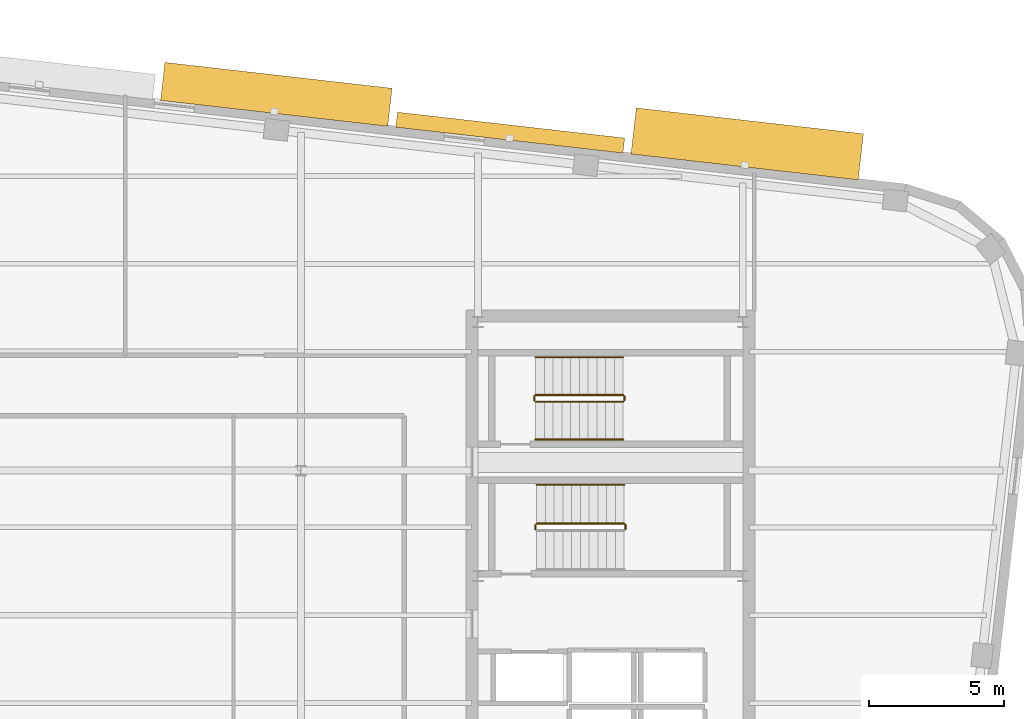
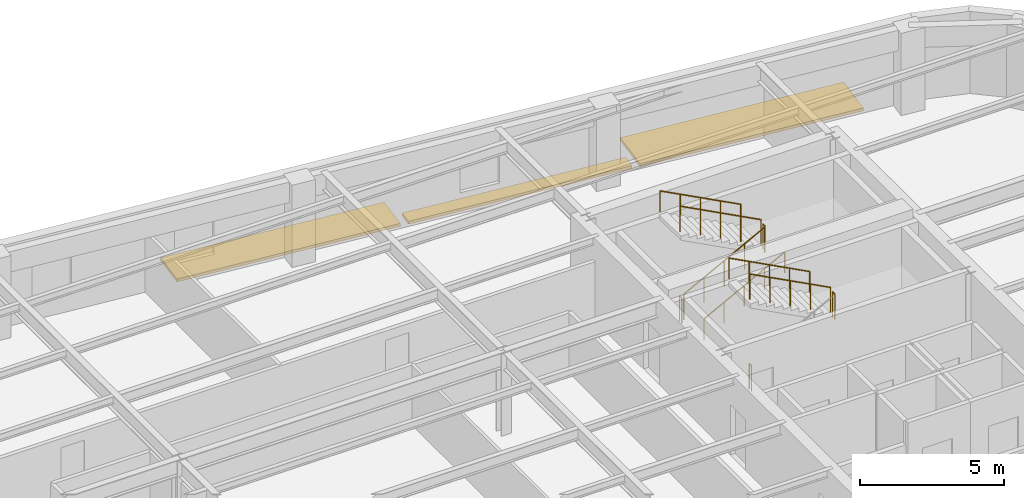
# One storey, part 12 of 12: 10 railings, 3 shading devices.
"""IFC4 building model written with IfcOpenShell, lengths in metres."""

from ifc_helpers import new_model, si_unit, direction, frame, origin, origin_2d, place, context, subcontext, project, spatial, rectangle, circle, extrude, material, type_object, element, save


model = new_model("IFC4")

# Units and contexts
model_context = context("Model", 3, precision=1e-05, world=origin(), true_north=direction((0.0, 1.0)))
body_context = subcontext(model_context, "Body", "Model", "MODEL_VIEW")
ifc_project = project(units=[si_unit("LENGTHUNIT", "METRE"), si_unit("AREAUNIT", "SQUARE_METRE"), si_unit("VOLUMEUNIT", "CUBIC_METRE"), si_unit("PLANEANGLEUNIT", "RADIAN"), si_unit("MASSUNIT", "GRAM", prefix="KILO")], contexts=[model_context])

# Site, building, storey
site_placement = place(None, origin())
site = spatial("IfcSite", under=ifc_project, at=site_placement, CompositionType="ELEMENT")
building_placement = place(site_placement, origin())
building = spatial("IfcBuilding", under=site, at=building_placement, Name="Kolvaren Arena Tower", CompositionType="ELEMENT")
storey_placement = place(building_placement, frame((0.0, 0.0, 220.949951171875)))
storey = spatial("IfcBuildingStorey", under=building, at=storey_placement, Name="L53", CompositionType="ELEMENT", Elevation=220.949951171875)

# Railings
ifc_material_1 = material(Name="Painted galvanized steel", Category="steel")
railing_type_1 = type_object("IfcRailingType", Name="GUARD-ST-110", PredefinedType="GUARDRAIL", material=ifc_material_1)
railing_1_placement = place(storey_placement, frame((56.010009765625, 31.68994140625, 1.875)))
element("IfcRailing", 1, at=railing_1_placement, inside=storey, type_object=railing_type_1, Name="L53 ST-E1 stair guard 2", PredefinedType="GUARDRAIL", context=body_context, shape_type="SweptSolid", body=[
    extrude(circle(Radius=0.02392578125, at=origin_2d()), frame((0.0, 0.0, 1.076171875), z_axis=(0.0, 1.0, 0.0), x_axis=(-1.0, 0.0, 0.0)), (0.0, 0.0, 1.0), 0.150146484375),
    extrude(circle(Radius=0.02099609375, at=origin_2d()), origin(), (0.0, 0.0, 1.0), 1.052001953125),
    extrude(circle(Radius=0.02099609375, at=origin_2d()), frame((0.0, 0.150146484375, 0.0)), (0.0, 0.0, 1.0), 1.052001953125),
])
railing_2_placement = place(storey_placement, frame((55.9599609375, 31.889892578125, 2.04541015625)))
element("IfcRailing", 2, at=railing_2_placement, inside=storey, type_object=railing_type_1, Name="L53 ST-E1 stair guard 3", PredefinedType="GUARDRAIL", context=body_context, shape_type="SweptSolid", body=[
    extrude(circle(Radius=0.02392578125, at=origin_2d()), frame((0.0, 0.0, 1.076171875), z_axis=(-0.884993431791, 0.0, 0.465603506952), x_axis=(0.0, -1.0, 0.0)), (0.0, 0.0, 1.0), 3.6611328125),
    extrude(circle(Radius=0.02099609375, at=origin_2d()), origin(), (0.0, 0.0, 1.0), 1.052001953125),
    extrude(circle(Radius=0.02099609375, at=origin_2d()), frame((-0.81005859375, 0.0, 0.42626953125)), (0.0, 0.0, 1.0), 1.052001953125),
    extrude(circle(Radius=0.02099609375, at=origin_2d()), frame((-1.6201171875, 0.0, 0.852294921875)), (0.0, 0.0, 1.0), 1.052001953125),
    extrude(circle(Radius=0.02099609375, at=origin_2d()), frame((-2.429931640625, 0.0, 1.2783203125)), (0.0, 0.0, 1.0), 1.052001953125),
    extrude(circle(Radius=0.02099609375, at=origin_2d()), frame((-3.239990234375, 0.0, 1.70458984375)), (0.0, 0.0, 1.0), 1.052001953125),
])
railing_3_placement = place(storey_placement, frame((52.669921875, 31.68994140625, 0.0)))
element("IfcRailing", 3, at=railing_3_placement, inside=storey, type_object=railing_type_1, Name="L53 ST-E1 stair guard 4", PredefinedType="GUARDRAIL", context=body_context, shape_type="SweptSolid", body=[
    extrude(circle(Radius=0.02392578125, at=origin_2d()), frame((0.0, 0.0, 1.076171875), z_axis=(0.0, 1.0, 0.0), x_axis=(-1.0, 0.0, 0.0)), (0.0, 0.0, 1.0), 0.150146484375),
    extrude(circle(Radius=0.02099609375, at=origin_2d()), origin(), (0.0, 0.0, 1.0), 1.052001953125),
    extrude(circle(Radius=0.02099609375, at=origin_2d()), frame((0.0, 0.150146484375, 0.0)), (0.0, 0.0, 1.0), 1.052001953125),
])
railing_4_placement = place(storey_placement, frame((52.679931640625, 36.39990234375, 0.17041015625)))
element("IfcRailing", 4, at=railing_4_placement, inside=storey, type_object=railing_type_1, Name="L53 ST-E2 stair guard 1", PredefinedType="GUARDRAIL", context=body_context, shape_type="SweptSolid", body=[
    extrude(circle(Radius=0.02392578125, at=origin_2d()), frame((0.0, 0.0, 1.076171875), z_axis=(0.884993431791, 0.0, 0.465603506952), x_axis=(0.0, 1.0, 0.0)), (0.0, 0.0, 1.0), 3.6611328125),
    extrude(circle(Radius=0.02099609375, at=origin_2d()), origin(), (0.0, 0.0, 1.0), 1.052001953125),
    extrude(circle(Radius=0.02099609375, at=origin_2d()), frame((0.81005859375, 0.0, 0.42626953125)), (0.0, 0.0, 1.0), 1.052001953125),
    extrude(circle(Radius=0.02099609375, at=origin_2d()), frame((1.6201171875, 0.0, 0.852294921875)), (0.0, 0.0, 1.0), 1.052001953125),
    extrude(circle(Radius=0.02099609375, at=origin_2d()), frame((2.429931640625, 0.0, 1.2783203125)), (0.0, 0.0, 1.0), 1.052001953125),
    extrude(circle(Radius=0.02099609375, at=origin_2d()), frame((3.239990234375, 0.0, 1.70458984375)), (0.0, 0.0, 1.0), 1.052001953125),
])
railing_5_placement = place(storey_placement, frame((55.969970703125, 36.449951171875, 1.875)))
element("IfcRailing", 5, at=railing_5_placement, inside=storey, type_object=railing_type_1, Name="L53 ST-E2 stair guard 2", PredefinedType="GUARDRAIL", context=body_context, shape_type="SweptSolid", body=[
    extrude(circle(Radius=0.02392578125, at=origin_2d()), frame((0.0, 0.0, 1.076171875), z_axis=(0.0, 1.0, 0.0), x_axis=(-1.0, 0.0, 0.0)), (0.0, 0.0, 1.0), 0.150146484375),
    extrude(circle(Radius=0.02099609375, at=origin_2d()), origin(), (0.0, 0.0, 1.0), 1.052001953125),
    extrude(circle(Radius=0.02099609375, at=origin_2d()), frame((0.0, 0.150146484375, 0.0)), (0.0, 0.0, 1.0), 1.052001953125),
])
railing_6_placement = place(storey_placement, frame((55.919921875, 36.64990234375, 2.04541015625)))
element("IfcRailing", 6, at=railing_6_placement, inside=storey, type_object=railing_type_1, Name="L53 ST-E2 stair guard 3", PredefinedType="GUARDRAIL", context=body_context, shape_type="SweptSolid", body=[
    extrude(circle(Radius=0.02392578125, at=origin_2d()), frame((0.0, 0.0, 1.076171875), z_axis=(-0.884993431791, 0.0, 0.465603506952), x_axis=(0.0, -1.0, 0.0)), (0.0, 0.0, 1.0), 3.6611328125),
    extrude(circle(Radius=0.02099609375, at=origin_2d()), origin(), (0.0, 0.0, 1.0), 1.052001953125),
    extrude(circle(Radius=0.02099609375, at=origin_2d()), frame((-0.81005859375, 0.0, 0.42626953125)), (0.0, 0.0, 1.0), 1.052001953125),
    extrude(circle(Radius=0.02099609375, at=origin_2d()), frame((-1.6201171875, 0.0, 0.852294921875)), (0.0, 0.0, 1.0), 1.052001953125),
    extrude(circle(Radius=0.02099609375, at=origin_2d()), frame((-2.429931640625, 0.0, 1.2783203125)), (0.0, 0.0, 1.0), 1.052001953125),
    extrude(circle(Radius=0.02099609375, at=origin_2d()), frame((-3.239990234375, 0.0, 1.70458984375)), (0.0, 0.0, 1.0), 1.052001953125),
])
railing_7_placement = place(storey_placement, frame((52.6298828125, 36.449951171875, 0.0)))
element("IfcRailing", 7, at=railing_7_placement, inside=storey, type_object=railing_type_1, Name="L53 ST-E2 stair guard 4", PredefinedType="GUARDRAIL", context=body_context, shape_type="SweptSolid", body=[
    extrude(circle(Radius=0.02392578125, at=origin_2d()), frame((0.0, 0.0, 1.076171875), z_axis=(0.0, 1.0, 0.0), x_axis=(-1.0, 0.0, 0.0)), (0.0, 0.0, 1.0), 0.150146484375),
    extrude(circle(Radius=0.02099609375, at=origin_2d()), origin(), (0.0, 0.0, 1.0), 1.052001953125),
    extrude(circle(Radius=0.02099609375, at=origin_2d()), frame((0.0, 0.150146484375, 0.0)), (0.0, 0.0, 1.0), 1.052001953125),
])
ifc_material_2 = material(Name="Brushed stainless steel handrail", Category="steel")
railing_type_2 = type_object("IfcRailingType", Name="HRAIL-900", PredefinedType="HANDRAIL", material=ifc_material_2)
railing_8_placement = place(storey_placement, frame((55.9599609375, 33.330078125, 2.04541015625)))
element("IfcRailing", 8, at=railing_8_placement, inside=storey, type_object=railing_type_2, Name="L53 ST-E1 stair handrail 2", PredefinedType="HANDRAIL", context=body_context, shape_type="SweptSolid", body=[
    extrude(circle(Radius=0.02392578125, at=origin_2d()), frame((0.0, 0.0, 0.8759765625), z_axis=(-0.884993431791, 0.0, 0.465603506952), x_axis=(0.0, -1.0, 0.0)), (0.0, 0.0, 1.0), 3.6611328125),
    extrude(circle(Radius=0.02099609375, at=origin_2d()), origin(), (0.0, 0.0, 1.0), 0.851806640625),
    extrude(circle(Radius=0.02099609375, at=origin_2d()), frame((-0.81005859375, 0.0, 0.42626953125)), (0.0, 0.0, 1.0), 0.851806640625),
    extrude(circle(Radius=0.02099609375, at=origin_2d()), frame((-1.6201171875, 0.0, 0.852294921875)), (0.0, 0.0, 1.0), 0.851806640625),
    extrude(circle(Radius=0.02099609375, at=origin_2d()), frame((-2.429931640625, 0.0, 1.2783203125)), (0.0, 0.0, 1.0), 0.851806640625),
    extrude(circle(Radius=0.02099609375, at=origin_2d()), frame((-3.239990234375, 0.0, 1.70458984375)), (0.0, 0.0, 1.0), 0.851806640625),
])
railing_9_placement = place(storey_placement, frame((52.679931640625, 35.0, 0.17041015625)))
element("IfcRailing", 9, at=railing_9_placement, inside=storey, type_object=railing_type_2, Name="L53 ST-E2 stair handrail 1", PredefinedType="HANDRAIL", context=body_context, shape_type="SweptSolid", body=[
    extrude(circle(Radius=0.02392578125, at=origin_2d()), frame((0.0, 0.0, 0.8759765625), z_axis=(0.884993431791, 0.0, 0.465603506952), x_axis=(0.0, 1.0, 0.0)), (0.0, 0.0, 1.0), 3.6611328125),
    extrude(circle(Radius=0.02099609375, at=origin_2d()), origin(), (0.0, 0.0, 1.0), 0.851806640625),
    extrude(circle(Radius=0.02099609375, at=origin_2d()), frame((0.81005859375, 0.0, 0.42626953125)), (0.0, 0.0, 1.0), 0.851806640625),
    extrude(circle(Radius=0.02099609375, at=origin_2d()), frame((1.6201171875, 0.0, 0.852294921875)), (0.0, 0.0, 1.0), 0.851806640625),
    extrude(circle(Radius=0.02099609375, at=origin_2d()), frame((2.429931640625, 0.0, 1.2783203125)), (0.0, 0.0, 1.0), 0.851806640625),
    extrude(circle(Radius=0.02099609375, at=origin_2d()), frame((3.239990234375, 0.0, 1.70458984375)), (0.0, 0.0, 1.0), 0.851806640625),
])
railing_10_placement = place(storey_placement, frame((55.919921875, 38.050048828125, 2.04541015625)))
element("IfcRailing", 10, at=railing_10_placement, inside=storey, type_object=railing_type_2, Name="L53 ST-E2 stair handrail 2", PredefinedType="HANDRAIL", context=body_context, shape_type="SweptSolid", body=[
    extrude(circle(Radius=0.02392578125, at=origin_2d()), frame((0.0, 0.0, 0.8759765625), z_axis=(-0.884993431791, 0.0, 0.465603506952), x_axis=(0.0, -1.0, 0.0)), (0.0, 0.0, 1.0), 3.6611328125),
    extrude(circle(Radius=0.02099609375, at=origin_2d()), origin(), (0.0, 0.0, 1.0), 0.851806640625),
    extrude(circle(Radius=0.02099609375, at=origin_2d()), frame((-0.81005859375, 0.0, 0.42626953125)), (0.0, 0.0, 1.0), 0.851806640625),
    extrude(circle(Radius=0.02099609375, at=origin_2d()), frame((-1.6201171875, 0.0, 0.852294921875)), (0.0, 0.0, 1.0), 0.851806640625),
    extrude(circle(Radius=0.02099609375, at=origin_2d()), frame((-2.429931640625, 0.0, 1.2783203125)), (0.0, 0.0, 1.0), 0.851806640625),
    extrude(circle(Radius=0.02099609375, at=origin_2d()), frame((-3.239990234375, 0.0, 1.70458984375)), (0.0, 0.0, 1.0), 0.851806640625),
])

# Shading devices
ifc_material_3 = material(Name="Architectural precast GFRC and anodised aluminium sunshade", Category="concrete")
shading_device_type_1 = type_object("IfcShadingDeviceType", Name="SHAD-SINE-A", PredefinedType="USERDEFINED", material=ifc_material_3)
shading_device_1_placement = place(storey_placement, frame((51.74462890625, 46.3583984375, -0.139892578125), z_axis=(0.0, 0.0, 1.0), x_axis=(0.993571658098, -0.113204947878, 0.0)))
element("IfcShadingDevice", 11, at=shading_device_1_placement, inside=storey, type_object=shading_device_type_1, Name="Sinusoidal Slab-Edge Sunshade Louvre (L53)", ObjectType="LOUVRE", PredefinedType="USERDEFINED", context=body_context, shape_type="SweptSolid", body=[
    extrude(rectangle(XDim=8.4599609375, YDim=0.560302734375, at=origin_2d()), origin(), (0.0, 0.0, 1.0), 0.1201171875),
])
shading_device_type_2 = type_object("IfcShadingDeviceType", Name="SHAD-SINE-B", PredefinedType="JALOUSIE", material=ifc_material_3)
shading_device_2_placement = place(storey_placement, frame((43.089599609375, 47.775390625, -0.139892578125), z_axis=(0.0, 0.0, 1.0), x_axis=(0.993571658098, -0.113204947878, 0.0)))
element("IfcShadingDevice", 12, at=shading_device_2_placement, inside=storey, type_object=shading_device_type_2, Name="Sinusoidal Slab-Edge Sunshade Louvre (L53)", PredefinedType="JALOUSIE", context=body_context, shape_type="SweptSolid", body=[
    extrude(rectangle(XDim=8.4599609375, YDim=1.416748046875, at=origin_2d()), origin(), (0.0, 0.0, 1.0), 0.1201171875),
])
shading_device_3_placement = place(storey_placement, frame((60.513916015625, 45.94140625, -0.139892578125), z_axis=(0.0, 0.0, 1.0), x_axis=(0.993571658098, -0.113204947878, 0.0)))
element("IfcShadingDevice", 13, at=shading_device_3_placement, inside=storey, type_object=shading_device_type_2, Name="Sinusoidal Slab-Edge Sunshade Louvre (L53)", PredefinedType="JALOUSIE", context=body_context, shape_type="SweptSolid", body=[
    extrude(rectangle(XDim=8.4599609375, YDim=1.717041015625, at=origin_2d()), origin(), (0.0, 0.0, 1.0), 0.1201171875),
])

save(model, "model.ifc")
